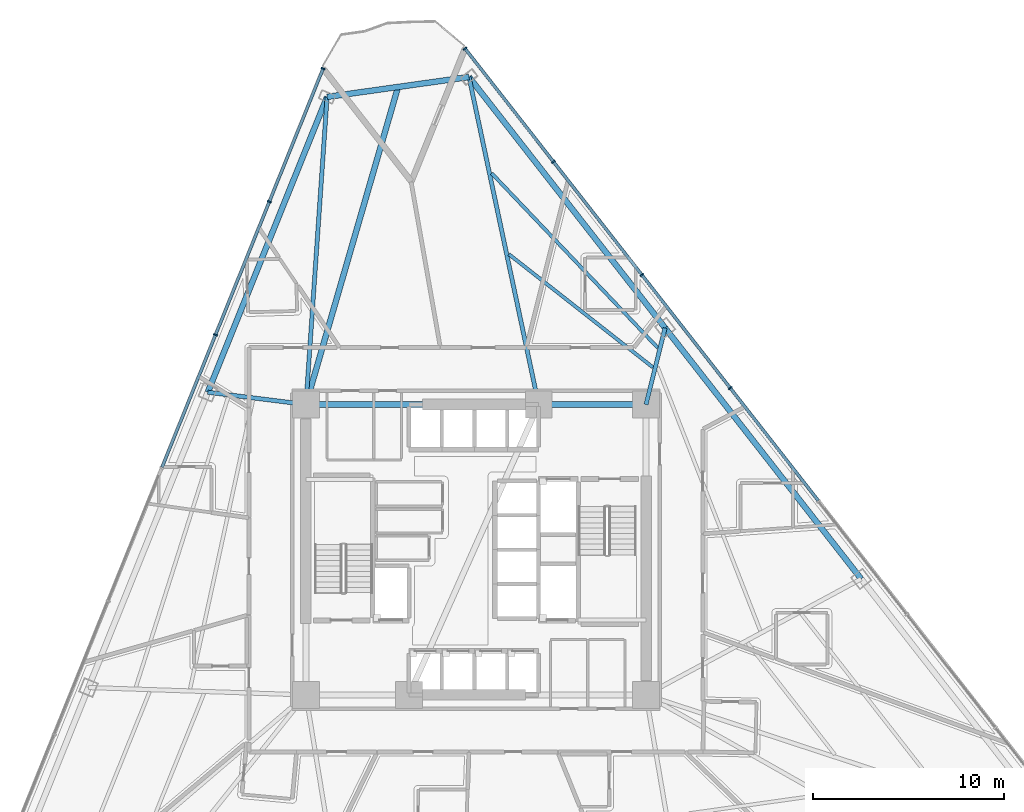
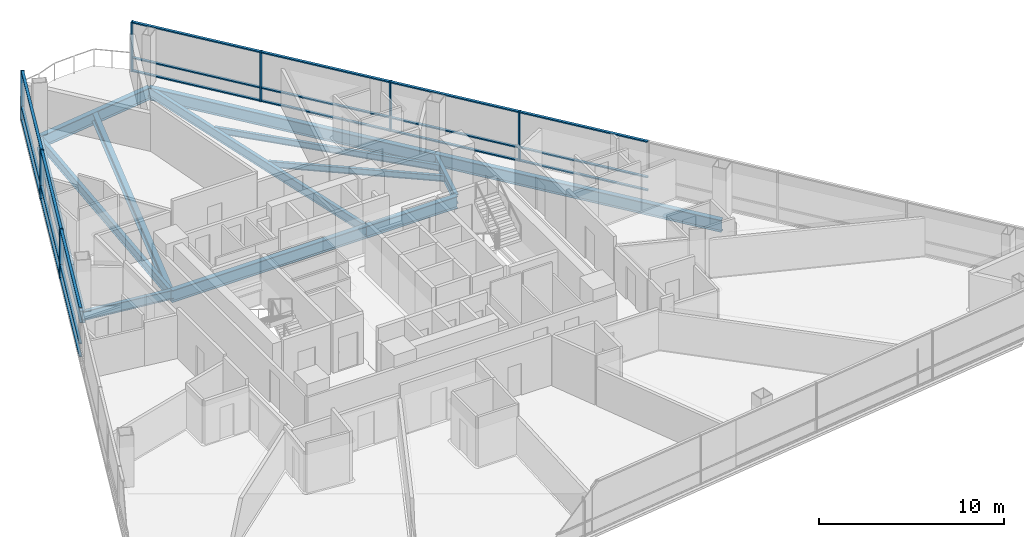
# One storey, part 5 of 16: 28 members, 13 beams, 2 elements without a shape of their own.
"""IFC4 building model written with IfcOpenShell, lengths in metres."""

from ifc_helpers import new_model, si_unit, direction, frame, origin, origin_2d, place, context, subcontext, project, spatial, rectangle, i_section, extrude, material, layer, layer_set, material_profile, profile_set, type_object, element, aggregate, save


model = new_model("IFC4")

# Units and contexts
model_context = context("Model", 3, precision=1e-05, world=origin(), true_north=direction((0.0, 1.0)))
body_context = subcontext(model_context, "Body", "Model", "MODEL_VIEW")
ifc_project = project(units=[si_unit("LENGTHUNIT", "METRE"), si_unit("AREAUNIT", "SQUARE_METRE"), si_unit("VOLUMEUNIT", "CUBIC_METRE"), si_unit("PLANEANGLEUNIT", "RADIAN"), si_unit("MASSUNIT", "GRAM", prefix="KILO")], contexts=[model_context])

# Site, building, storey
site_placement = place(None, origin())
site = spatial("IfcSite", under=ifc_project, at=site_placement, CompositionType="ELEMENT")
building_placement = place(site_placement, origin())
building = spatial("IfcBuilding", under=site, at=building_placement, Name="Tharavind Bronze Gate", CompositionType="ELEMENT")
storey_placement = place(building_placement, frame((0.0, 0.0, 70.75)))
storey = spatial("IfcBuildingStorey", under=building, at=storey_placement, Name="L17", CompositionType="ELEMENT", Elevation=70.75)

# Curtain wall, members
ifc_material_1 = material(Name="Anodised Bronze Aluminium", Category="aluminium")
ifc_layer = layer(ifc_material_1, 0.219970703125)
ifc_layer_set = layer_set([ifc_layer], Name="Anodised Bronze Aluminium")
curtain_wall_type = type_object("IfcCurtainWallType", Name="UNITISED CURTAIN WALL HOTEL", PredefinedType="USERDEFINED", material=ifc_layer_set)
curtain_wall_1_placement = place(storey_placement, origin())
curtain_wall_1 = element("IfcCurtainWall", 1, at=curtain_wall_1_placement, inside=storey, type_object=curtain_wall_type, Name="L17 unitised curtain wall hotel CW-L17-S1", ObjectType="UNITISED CURTAIN WALL", PredefinedType="USERDEFINED")
member_type_1 = type_object("IfcMemberType", Name="CURTAIN WALL MULLION 80X220", PredefinedType="MULLION", material=ifc_material_1)
member_1_placement = place(storey_placement, frame((-8.000732421875, 25.18310546875, 0.0), z_axis=(0.0, 0.0, 1.0), x_axis=(-0.374606593416, -0.927183854567, 0.0)))
member_1 = element("IfcMember", 2, at=member_1_placement, type_object=member_type_1, Name="CW-L17-S1 mullion 1", PredefinedType="MULLION", context=body_context, shape_type="SweptSolid", body=[
    extrude(rectangle(XDim=0.080078125, YDim=0.219970703125, at=origin_2d()), origin(), (0.0, 0.0, 1.0), 3.27490234375),
])
member_2_placement = place(storey_placement, frame((-10.81591796875, 18.215087890625, 0.0), z_axis=(0.0, 0.0, 1.0), x_axis=(-0.374606593416, -0.927183854567, 0.0)))
member_2 = element("IfcMember", 3, at=member_2_placement, type_object=member_type_1, Name="CW-L17-S1 mullion 2", PredefinedType="MULLION", context=body_context, shape_type="SweptSolid", body=[
    extrude(rectangle(XDim=0.080078125, YDim=0.219970703125, at=origin_2d()), origin(), (0.0, 0.0, 1.0), 3.27490234375),
])
member_3_placement = place(storey_placement, frame((-13.631103515625, 11.247314453125, 0.0), z_axis=(0.0, 0.0, 1.0), x_axis=(-0.374606593416, -0.927183854567, 0.0)))
member_3 = element("IfcMember", 4, at=member_3_placement, type_object=member_type_1, Name="CW-L17-S1 mullion 3", PredefinedType="MULLION", context=body_context, shape_type="SweptSolid", body=[
    extrude(rectangle(XDim=0.080078125, YDim=0.219970703125, at=origin_2d()), origin(), (0.0, 0.0, 1.0), 3.27490234375),
])

curtain_wall_2_placement = place(storey_placement, origin())
curtain_wall_2 = element("IfcCurtainWall", 5, at=curtain_wall_2_placement, inside=storey, type_object=curtain_wall_type, Name="L17 unitised curtain wall hotel CW-L17-S3", ObjectType="UNITISED CURTAIN WALL", PredefinedType="USERDEFINED")
member_4_placement = place(storey_placement, frame((13.306396484375, 8.4609375, 0.0), z_axis=(0.0, 0.0, 1.0), x_axis=(-0.615661475326, 0.788010753607, 0.0)))
member_4 = element("IfcMember", 6, at=member_4_placement, type_object=member_type_1, Name="CW-L17-S3 mullion 5", PredefinedType="MULLION", context=body_context, shape_type="SweptSolid", body=[
    extrude(rectangle(XDim=0.080078125, YDim=0.219970703125, at=origin_2d()), origin(), (0.0, 0.0, 1.0), 3.27490234375),
])
member_5_placement = place(storey_placement, frame((8.6796875, 14.383056640625, 0.0), z_axis=(0.0, 0.0, 1.0), x_axis=(-0.615661475326, 0.788010753607, 0.0)))
member_5 = element("IfcMember", 7, at=member_5_placement, type_object=member_type_1, Name="CW-L17-S3 mullion 6", PredefinedType="MULLION", context=body_context, shape_type="SweptSolid", body=[
    extrude(rectangle(XDim=0.080078125, YDim=0.219970703125, at=origin_2d()), origin(), (0.0, 0.0, 1.0), 3.27490234375),
])
member_6_placement = place(storey_placement, frame((4.052978515625, 20.304931640625, 0.0), z_axis=(0.0, 0.0, 1.0), x_axis=(-0.615661475326, 0.788010753607, 0.0)))
member_6 = element("IfcMember", 8, at=member_6_placement, type_object=member_type_1, Name="CW-L17-S3 mullion 7", PredefinedType="MULLION", context=body_context, shape_type="SweptSolid", body=[
    extrude(rectangle(XDim=0.080078125, YDim=0.219970703125, at=origin_2d()), origin(), (0.0, 0.0, 1.0), 3.27490234375),
])
member_7_placement = place(storey_placement, frame((-0.57373046875, 26.226806640625, 0.0), z_axis=(0.0, 0.0, 1.0), x_axis=(-0.615661475326, 0.788010753607, 0.0)))
member_7 = element("IfcMember", 9, at=member_7_placement, type_object=member_type_1, Name="CW-L17-S3 mullion 8", PredefinedType="MULLION", context=body_context, shape_type="SweptSolid", body=[
    extrude(rectangle(XDim=0.080078125, YDim=0.219970703125, at=origin_2d()), origin(), (0.0, 0.0, 1.0), 3.27490234375),
])

# Member
member_type_2 = type_object("IfcMemberType", Name="CURTAIN WALL TRANSOM 80X160", PredefinedType="USERDEFINED", material=ifc_material_1)
member_8_placement = place(storey_placement, frame((-9.408203125, 21.69921875, 0.0), z_axis=(0.0, 0.0, 1.0), x_axis=(-0.374606593416, -0.927183854567, 0.0)))
member_8 = element("IfcMember", 10, at=member_8_placement, type_object=member_type_2, Name="CW-L17-S1 transom TB1", ObjectType="TRANSOM", PredefinedType="USERDEFINED", context=body_context, shape_type="SweptSolid", body=[
    extrude(rectangle(XDim=7.447021484375, YDim=0.159912109375, at=origin_2d()), origin(), (0.0, 0.0, 1.0), 0.080078125),
])

member_9_placement = place(storey_placement, frame((-9.408203125, 21.69921875, 0.85986328125), z_axis=(0.0, 0.0, 1.0), x_axis=(-0.374606593416, -0.927183854567, 0.0)))
member_9 = element("IfcMember", 11, at=member_9_placement, type_object=member_type_2, Name="CW-L17-S1 transom TS1", ObjectType="TRANSOM", PredefinedType="USERDEFINED", context=body_context, shape_type="SweptSolid", body=[
    extrude(rectangle(XDim=7.447021484375, YDim=0.159912109375, at=origin_2d()), origin(), (0.0, 0.0, 1.0), 0.080078125),
])

member_10_placement = place(storey_placement, frame((-9.408203125, 21.69921875, 3.195068359375), z_axis=(0.0, 0.0, 1.0), x_axis=(-0.374606593416, -0.927183854567, 0.0)))
member_10 = element("IfcMember", 12, at=member_10_placement, type_object=member_type_2, Name="CW-L17-S1 transom TT1", ObjectType="TRANSOM", PredefinedType="USERDEFINED", context=body_context, shape_type="SweptSolid", body=[
    extrude(rectangle(XDim=7.447021484375, YDim=0.159912109375, at=origin_2d()), origin(), (0.0, 0.0, 1.0), 0.080078125),
])

member_11_placement = place(storey_placement, frame((-12.223388671875, 14.731201171875, 0.0), z_axis=(0.0, 0.0, 1.0), x_axis=(-0.374606593416, -0.927183854567, 0.0)))
member_11 = element("IfcMember", 13, at=member_11_placement, type_object=member_type_2, Name="CW-L17-S1 transom TB2", ObjectType="TRANSOM", PredefinedType="USERDEFINED", context=body_context, shape_type="SweptSolid", body=[
    extrude(rectangle(XDim=7.447021484375, YDim=0.159912109375, at=origin_2d()), origin(), (0.0, 0.0, 1.0), 0.080078125),
])

member_12_placement = place(storey_placement, frame((-12.223388671875, 14.731201171875, 0.85986328125), z_axis=(0.0, 0.0, 1.0), x_axis=(-0.374606593416, -0.927183854567, 0.0)))
member_12 = element("IfcMember", 14, at=member_12_placement, type_object=member_type_2, Name="CW-L17-S1 transom TS2", ObjectType="TRANSOM", PredefinedType="USERDEFINED", context=body_context, shape_type="SweptSolid", body=[
    extrude(rectangle(XDim=7.447021484375, YDim=0.159912109375, at=origin_2d()), origin(), (0.0, 0.0, 1.0), 0.080078125),
])

member_13_placement = place(storey_placement, frame((-12.223388671875, 14.731201171875, 3.195068359375), z_axis=(0.0, 0.0, 1.0), x_axis=(-0.374606593416, -0.927183854567, 0.0)))
member_13 = element("IfcMember", 15, at=member_13_placement, type_object=member_type_2, Name="CW-L17-S1 transom TT2", ObjectType="TRANSOM", PredefinedType="USERDEFINED", context=body_context, shape_type="SweptSolid", body=[
    extrude(rectangle(XDim=7.447021484375, YDim=0.159912109375, at=origin_2d()), origin(), (0.0, 0.0, 1.0), 0.080078125),
])

member_14_placement = place(storey_placement, frame((-15.038818359375, 7.763427734375, 0.0), z_axis=(0.0, 0.0, 1.0), x_axis=(-0.374606593416, -0.927183854567, 0.0)))
member_14 = element("IfcMember", 16, at=member_14_placement, type_object=member_type_2, Name="CW-L17-S1 transom TB3", ObjectType="TRANSOM", PredefinedType="USERDEFINED", context=body_context, shape_type="SweptSolid", body=[
    extrude(rectangle(XDim=7.447021484375, YDim=0.159912109375, at=origin_2d()), origin(), (0.0, 0.0, 1.0), 0.080078125),
])

member_15_placement = place(storey_placement, frame((-15.038818359375, 7.763427734375, 0.85986328125), z_axis=(0.0, 0.0, 1.0), x_axis=(-0.374606593416, -0.927183854567, 0.0)))
member_15 = element("IfcMember", 17, at=member_15_placement, type_object=member_type_2, Name="CW-L17-S1 transom TS3", ObjectType="TRANSOM", PredefinedType="USERDEFINED", context=body_context, shape_type="SweptSolid", body=[
    extrude(rectangle(XDim=7.447021484375, YDim=0.159912109375, at=origin_2d()), origin(), (0.0, 0.0, 1.0), 0.080078125),
])

member_16_placement = place(storey_placement, frame((-15.038818359375, 7.763427734375, 3.195068359375), z_axis=(0.0, 0.0, 1.0), x_axis=(-0.374606593416, -0.927183854567, 0.0)))
member_16 = element("IfcMember", 18, at=member_16_placement, type_object=member_type_2, Name="CW-L17-S1 transom TT3", ObjectType="TRANSOM", PredefinedType="USERDEFINED", context=body_context, shape_type="SweptSolid", body=[
    extrude(rectangle(XDim=7.447021484375, YDim=0.159912109375, at=origin_2d()), origin(), (0.0, 0.0, 1.0), 0.080078125),
])

aggregate(curtain_wall_1, [member_1, member_2, member_3, member_8, member_9, member_10, member_11, member_12, member_13, member_14, member_15, member_16])

member_17_placement = place(storey_placement, frame((15.619873046875, 5.5, 0.0), z_axis=(0.0, 0.0, 1.0), x_axis=(-0.615661475326, 0.788010753607, 0.0)))
member_17 = element("IfcMember", 19, at=member_17_placement, type_object=member_type_2, Name="CW-L17-S3 transom TB4", ObjectType="TRANSOM", PredefinedType="USERDEFINED", context=body_context, shape_type="SweptSolid", body=[
    extrude(rectangle(XDim=7.447021484375, YDim=0.159912109375, at=origin_2d()), origin(), (0.0, 0.0, 1.0), 0.080078125),
])

member_18_placement = place(storey_placement, frame((15.619873046875, 5.5, 0.85986328125), z_axis=(0.0, 0.0, 1.0), x_axis=(-0.615661475326, 0.788010753607, 0.0)))
member_18 = element("IfcMember", 20, at=member_18_placement, type_object=member_type_2, Name="CW-L17-S3 transom TS4", ObjectType="TRANSOM", PredefinedType="USERDEFINED", context=body_context, shape_type="SweptSolid", body=[
    extrude(rectangle(XDim=7.447021484375, YDim=0.159912109375, at=origin_2d()), origin(), (0.0, 0.0, 1.0), 0.080078125),
])

member_19_placement = place(storey_placement, frame((15.619873046875, 5.5, 3.195068359375), z_axis=(0.0, 0.0, 1.0), x_axis=(-0.615661475326, 0.788010753607, 0.0)))
member_19 = element("IfcMember", 21, at=member_19_placement, type_object=member_type_2, Name="CW-L17-S3 transom TT4", ObjectType="TRANSOM", PredefinedType="USERDEFINED", context=body_context, shape_type="SweptSolid", body=[
    extrude(rectangle(XDim=7.447021484375, YDim=0.159912109375, at=origin_2d()), origin(), (0.0, 0.0, 1.0), 0.080078125),
])

member_20_placement = place(storey_placement, frame((10.9931640625, 11.422119140625, 0.0), z_axis=(0.0, 0.0, 1.0), x_axis=(-0.615661475326, 0.788010753607, 0.0)))
member_20 = element("IfcMember", 22, at=member_20_placement, type_object=member_type_2, Name="CW-L17-S3 transom TB5", ObjectType="TRANSOM", PredefinedType="USERDEFINED", context=body_context, shape_type="SweptSolid", body=[
    extrude(rectangle(XDim=7.447021484375, YDim=0.159912109375, at=origin_2d()), origin(), (0.0, 0.0, 1.0), 0.080078125),
])

member_21_placement = place(storey_placement, frame((10.9931640625, 11.422119140625, 0.85986328125), z_axis=(0.0, 0.0, 1.0), x_axis=(-0.615661475326, 0.788010753607, 0.0)))
member_21 = element("IfcMember", 23, at=member_21_placement, type_object=member_type_2, Name="CW-L17-S3 transom TS5", ObjectType="TRANSOM", PredefinedType="USERDEFINED", context=body_context, shape_type="SweptSolid", body=[
    extrude(rectangle(XDim=7.447021484375, YDim=0.159912109375, at=origin_2d()), origin(), (0.0, 0.0, 1.0), 0.080078125),
])

member_22_placement = place(storey_placement, frame((10.9931640625, 11.422119140625, 3.195068359375), z_axis=(0.0, 0.0, 1.0), x_axis=(-0.615661475326, 0.788010753607, 0.0)))
member_22 = element("IfcMember", 24, at=member_22_placement, type_object=member_type_2, Name="CW-L17-S3 transom TT5", ObjectType="TRANSOM", PredefinedType="USERDEFINED", context=body_context, shape_type="SweptSolid", body=[
    extrude(rectangle(XDim=7.447021484375, YDim=0.159912109375, at=origin_2d()), origin(), (0.0, 0.0, 1.0), 0.080078125),
])

member_23_placement = place(storey_placement, frame((6.366455078125, 17.343994140625, 0.0), z_axis=(0.0, 0.0, 1.0), x_axis=(-0.615661475326, 0.788010753607, 0.0)))
member_23 = element("IfcMember", 25, at=member_23_placement, type_object=member_type_2, Name="CW-L17-S3 transom TB6", ObjectType="TRANSOM", PredefinedType="USERDEFINED", context=body_context, shape_type="SweptSolid", body=[
    extrude(rectangle(XDim=7.447021484375, YDim=0.159912109375, at=origin_2d()), origin(), (0.0, 0.0, 1.0), 0.080078125),
])

member_24_placement = place(storey_placement, frame((6.366455078125, 17.343994140625, 0.85986328125), z_axis=(0.0, 0.0, 1.0), x_axis=(-0.615661475326, 0.788010753607, 0.0)))
member_24 = element("IfcMember", 26, at=member_24_placement, type_object=member_type_2, Name="CW-L17-S3 transom TS6", ObjectType="TRANSOM", PredefinedType="USERDEFINED", context=body_context, shape_type="SweptSolid", body=[
    extrude(rectangle(XDim=7.447021484375, YDim=0.159912109375, at=origin_2d()), origin(), (0.0, 0.0, 1.0), 0.080078125),
])

member_25_placement = place(storey_placement, frame((6.366455078125, 17.343994140625, 3.195068359375), z_axis=(0.0, 0.0, 1.0), x_axis=(-0.615661475326, 0.788010753607, 0.0)))
member_25 = element("IfcMember", 27, at=member_25_placement, type_object=member_type_2, Name="CW-L17-S3 transom TT6", ObjectType="TRANSOM", PredefinedType="USERDEFINED", context=body_context, shape_type="SweptSolid", body=[
    extrude(rectangle(XDim=7.447021484375, YDim=0.159912109375, at=origin_2d()), origin(), (0.0, 0.0, 1.0), 0.080078125),
])

member_26_placement = place(storey_placement, frame((1.73974609375, 23.265869140625, 0.0), z_axis=(0.0, 0.0, 1.0), x_axis=(-0.615661475326, 0.788010753607, 0.0)))
member_26 = element("IfcMember", 28, at=member_26_placement, type_object=member_type_2, Name="CW-L17-S3 transom TB7", ObjectType="TRANSOM", PredefinedType="USERDEFINED", context=body_context, shape_type="SweptSolid", body=[
    extrude(rectangle(XDim=7.447021484375, YDim=0.159912109375, at=origin_2d()), origin(), (0.0, 0.0, 1.0), 0.080078125),
])

member_27_placement = place(storey_placement, frame((1.73974609375, 23.265869140625, 0.85986328125), z_axis=(0.0, 0.0, 1.0), x_axis=(-0.615661475326, 0.788010753607, 0.0)))
member_27 = element("IfcMember", 29, at=member_27_placement, type_object=member_type_2, Name="CW-L17-S3 transom TS7", ObjectType="TRANSOM", PredefinedType="USERDEFINED", context=body_context, shape_type="SweptSolid", body=[
    extrude(rectangle(XDim=7.447021484375, YDim=0.159912109375, at=origin_2d()), origin(), (0.0, 0.0, 1.0), 0.080078125),
])

member_28_placement = place(storey_placement, frame((1.73974609375, 23.265869140625, 3.195068359375), z_axis=(0.0, 0.0, 1.0), x_axis=(-0.615661475326, 0.788010753607, 0.0)))
member_28 = element("IfcMember", 30, at=member_28_placement, type_object=member_type_2, Name="CW-L17-S3 transom TT7", ObjectType="TRANSOM", PredefinedType="USERDEFINED", context=body_context, shape_type="SweptSolid", body=[
    extrude(rectangle(XDim=7.447021484375, YDim=0.159912109375, at=origin_2d()), origin(), (0.0, 0.0, 1.0), 0.080078125),
])

aggregate(curtain_wall_2, [member_4, member_5, member_6, member_7, member_17, member_18, member_19, member_20, member_21, member_22, member_23, member_24, member_25, member_26, member_27, member_28])

# Beams
ifc_material_2 = material(Name="Steel S355", Category="steel")
ifc_material_profile_1 = material_profile(ifc_material_2, i_section(OverallWidth=0.300048828125, OverallDepth=0.64990234375, WebThickness=0.01611328125, FlangeThickness=0.031005859375, at=origin_2d()), Name="HE650B")
ifc_profile_set_1 = profile_set([ifc_material_profile_1], Name="Steel S355")
beam_type_1 = type_object("IfcBeamType", Name="PRIMARY GIRDER HE650B", PredefinedType="USERDEFINED", material=ifc_profile_set_1)
beam_1_placement = place(storey_placement, frame((-8.89990234375, 7.60009765625, -0.5), z_axis=(0.278626347577, 0.960399582693, 0.0), x_axis=(-0.960399582693, 0.278626347577, 0.0)))
element("IfcBeam", 31, at=beam_1_placement, inside=storey, type_object=beam_type_1, Name="L17 primary girder he650b BM-L17-BLCSB", ObjectType="GIRDER", PredefinedType="USERDEFINED", context=body_context, shape_type="SweptSolid", body=[
    extrude(i_section(OverallWidth=0.300048828125, OverallDepth=0.64990234375, WebThickness=0.01611328125, FlangeThickness=0.031005859375, at=origin_2d()), origin(), (0.0, 0.0, 1.0), 17.3046875),
])
ifc_material_profile_2 = material_profile(ifc_material_2, i_section(OverallWidth=0.219970703125, OverallDepth=0.60009765625, WebThickness=0.011962890625, FlangeThickness=0.01904296875, at=origin_2d()), Name="IPE600")
ifc_profile_set_2 = profile_set([ifc_material_profile_2], Name="Steel S355")
beam_type_2 = type_object("IfcBeamType", Name="PRIMARY GIRDER IPE600", PredefinedType="USERDEFINED", material=ifc_profile_set_2)
beam_2_placement = place(storey_placement, frame((-7.7919921875, 23.69775390625, -0.47509765625), z_axis=(-0.06866188826, -0.997639987721, 0.0), x_axis=(0.997639987721, -0.06866188826, 0.0)))
element("IfcBeam", 32, at=beam_2_placement, inside=storey, type_object=beam_type_2, Name="L17 primary girder ipe600 BM-L17-RAD01", ObjectType="GIRDER", PredefinedType="USERDEFINED", context=body_context, shape_type="SweptSolid", body=[
    extrude(i_section(OverallWidth=0.219970703125, OverallDepth=0.60009765625, WebThickness=0.011962890625, FlangeThickness=0.01904296875, at=origin_2d()), origin(), (0.0, 0.0, 1.0), 16.1357421875),
])
beam_3_placement = place(storey_placement, frame((-14.036376953125, 8.2421875, -0.47509765625), z_axis=(0.992277151101, -0.124040539351, 0.0), x_axis=(0.124040539351, 0.992277151101, 0.0)))
element("IfcBeam", 33, at=beam_3_placement, inside=storey, type_object=beam_type_2, Name="L17 primary girder ipe600 BM-L17-RAD02", ObjectType="GIRDER", PredefinedType="USERDEFINED", context=body_context, shape_type="SweptSolid", body=[
    extrude(i_section(OverallWidth=0.219970703125, OverallDepth=0.60009765625, WebThickness=0.011962890625, FlangeThickness=0.01904296875, at=origin_2d()), origin(), (0.0, 0.0, 1.0), 5.176513671875),
])
beam_4_placement = place(storey_placement, frame((9.897705078125, 11.60595703125, -0.47509765625), z_axis=(-0.241700633281, -0.970350866373, 0.0), x_axis=(0.970350866373, -0.241700633281, 0.0)))
element("IfcBeam", 34, at=beam_4_placement, inside=storey, type_object=beam_type_2, Name="L17 primary girder ipe600 BM-L17-RAD11", ObjectType="GIRDER", PredefinedType="USERDEFINED", context=body_context, shape_type="SweptSolid", body=[
    extrude(i_section(OverallWidth=0.219970703125, OverallDepth=0.60009765625, WebThickness=0.011962890625, FlangeThickness=0.01904296875, at=origin_2d()), origin(), (0.0, 0.0, 1.0), 4.128173828125),
])
beam_5_placement = place(storey_placement, frame((-0.364990234375, 24.741455078125, -0.47509765625), z_axis=(0.207994213737, -0.978130056307, 0.0), x_axis=(0.978130056307, 0.207994213737, 0.0)))
element("IfcBeam", 35, at=beam_5_placement, inside=storey, type_object=beam_type_2, Name="L17 primary girder ipe600 BM-L17-RAD12", ObjectType="GIRDER", PredefinedType="USERDEFINED", context=body_context, shape_type="SweptSolid", body=[
    extrude(i_section(OverallWidth=0.219970703125, OverallDepth=0.60009765625, WebThickness=0.011962890625, FlangeThickness=0.01904296875, at=origin_2d()), origin(), (0.0, 0.0, 1.0), 17.524658203125),
])
ifc_material_profile_3 = material_profile(ifc_material_2, i_section(OverallWidth=0.300048828125, OverallDepth=0.800048828125, WebThickness=0.017578125, FlangeThickness=0.032958984375, at=origin_2d()), Name="HE800B")
ifc_profile_set_3 = profile_set([ifc_material_profile_3], Name="Steel S355")
beam_type_3 = type_object("IfcBeamType", Name="RING GIRDER HE800B", PredefinedType="USERDEFINED", material=ifc_profile_set_3)
beam_6_placement = place(storey_placement, frame((8.89990234375, 7.60009765625, -0.574951171875), z_axis=(-1.0, 0.0, 0.0), x_axis=(0.0, -1.0, 0.0)))
element("IfcBeam", 36, at=beam_6_placement, inside=storey, type_object=beam_type_3, Name="L17 ring girder he800b BM-L17-CR4", ObjectType="GIRDER", PredefinedType="USERDEFINED", context=body_context, shape_type="SweptSolid", body=[
    extrude(i_section(OverallWidth=0.300048828125, OverallDepth=0.800048828125, WebThickness=0.017578125, FlangeThickness=0.032958984375, at=origin_2d()), origin(), (0.0, 0.0, 1.0), 5.619873046875),
])
beam_7_placement = place(storey_placement, frame((3.280029296875, 7.60009765625, -0.574951171875), z_axis=(-1.0, 0.0, 0.0), x_axis=(0.0, -1.0, 0.0)))
element("IfcBeam", 37, at=beam_7_placement, inside=storey, type_object=beam_type_3, Name="L17 ring girder he800b BM-L17-CR5", ObjectType="GIRDER", PredefinedType="USERDEFINED", context=body_context, shape_type="SweptSolid", body=[
    extrude(i_section(OverallWidth=0.300048828125, OverallDepth=0.800048828125, WebThickness=0.017578125, FlangeThickness=0.032958984375, at=origin_2d()), origin(), (0.0, 0.0, 1.0), 12.179931640625),
])
beam_8_placement = place(storey_placement, frame((-7.7919921875, 23.69775390625, -0.574951171875), z_axis=(-0.374603014443, -0.927185300557, 0.0), x_axis=(0.927185300557, -0.374603014443, 0.0)))
element("IfcBeam", 38, at=beam_8_placement, inside=storey, type_object=beam_type_3, Name="L17 ring girder he800b BM-L17-PRG01", ObjectType="GIRDER", PredefinedType="USERDEFINED", context=body_context, shape_type="SweptSolid", body=[
    extrude(i_section(OverallWidth=0.300048828125, OverallDepth=0.800048828125, WebThickness=0.017578125, FlangeThickness=0.032958984375, at=origin_2d()), origin(), (0.0, 0.0, 1.0), 16.66943359375),
])
beam_9_placement = place(storey_placement, frame((20.16015625, -1.529296875, -0.574951171875), z_axis=(-0.615663937513, 0.788008829929, 0.0), x_axis=(-0.788008829929, -0.615663937513, 0.0)))
element("IfcBeam", 39, at=beam_9_placement, inside=storey, type_object=beam_type_3, Name="L17 ring girder he800b BM-L17-PRG10", ObjectType="GIRDER", PredefinedType="USERDEFINED", context=body_context, shape_type="SweptSolid", body=[
    extrude(i_section(OverallWidth=0.300048828125, OverallDepth=0.800048828125, WebThickness=0.017578125, FlangeThickness=0.032958984375, at=origin_2d()), origin(), (0.0, 0.0, 1.0), 16.6689453125),
])
beam_10_placement = place(storey_placement, frame((9.897705078125, 11.60595703125, -0.574951171875), z_axis=(-0.615665926595, 0.788007275873, 0.0), x_axis=(-0.788007275873, -0.615665926595, 0.0)))
element("IfcBeam", 40, at=beam_10_placement, inside=storey, type_object=beam_type_3, Name="L17 ring girder he800b BM-L17-PRG11", ObjectType="GIRDER", PredefinedType="USERDEFINED", context=body_context, shape_type="SweptSolid", body=[
    extrude(i_section(OverallWidth=0.300048828125, OverallDepth=0.800048828125, WebThickness=0.017578125, FlangeThickness=0.032958984375, at=origin_2d()), origin(), (0.0, 0.0, 1.0), 16.669189453125),
])
beam_11_placement = place(storey_placement, frame((-0.364990234375, 24.741455078125, -0.574951171875), z_axis=(-0.990269830577, -0.139160564272, 0.0), x_axis=(0.139160564272, -0.990269830577, 0.0)))
element("IfcBeam", 41, at=beam_11_placement, inside=storey, type_object=beam_type_3, Name="L17 ring girder he800b BM-L17-PRG12", ObjectType="GIRDER", PredefinedType="USERDEFINED", context=body_context, shape_type="SweptSolid", body=[
    extrude(i_section(OverallWidth=0.300048828125, OverallDepth=0.800048828125, WebThickness=0.017578125, FlangeThickness=0.032958984375, at=origin_2d()), origin(), (0.0, 0.0, 1.0), 7.5),
])
ifc_material_profile_4 = material_profile(ifc_material_2, i_section(OverallWidth=0.179931640625, OverallDepth=0.39990234375, WebThickness=0.008544921875, FlangeThickness=0.013427734375, at=origin_2d()), Name="IPE400")
ifc_profile_set_4 = profile_set([ifc_material_profile_4], Name="Steel S355")
beam_type_4 = type_object("IfcBeamType", Name="SECONDARY FLOOR JOIST IPE400", PredefinedType="JOIST", material=ifc_profile_set_4)
beam_12_placement = place(storey_placement, frame((9.265869140625, 9.539794921875, -0.375), z_axis=(-0.786502051984, 0.617587663595, 0.0), x_axis=(-0.617587663595, -0.786502051984, 0.0)))
element("IfcBeam", 42, at=beam_12_placement, inside=storey, type_object=beam_type_4, Name="L17 secondary floor joist ipe400 BM-L17-JSTA11", PredefinedType="JOIST", context=body_context, shape_type="SweptSolid", body=[
    extrude(i_section(OverallWidth=0.179931640625, OverallDepth=0.39990234375, WebThickness=0.008544921875, FlangeThickness=0.013427734375, at=origin_2d()), origin(), (0.0, 0.0, 1.0), 9.58984375),
])
beam_13_placement = place(storey_placement, frame((9.520751953125, 10.5615234375, -0.375), z_axis=(-0.689438692016, 0.724344041151, 0.0), x_axis=(-0.724344041151, -0.689438692016, 0.0)))
element("IfcBeam", 43, at=beam_13_placement, inside=storey, type_object=beam_type_4, Name="L17 secondary floor joist ipe400 BM-L17-JSTB11", PredefinedType="JOIST", context=body_context, shape_type="SweptSolid", body=[
    extrude(i_section(OverallWidth=0.179931640625, OverallDepth=0.39990234375, WebThickness=0.008544921875, FlangeThickness=0.013427734375, at=origin_2d()), origin(), (0.0, 0.0, 1.0), 12.617919921875),
])

save(model, "model.ifc")
